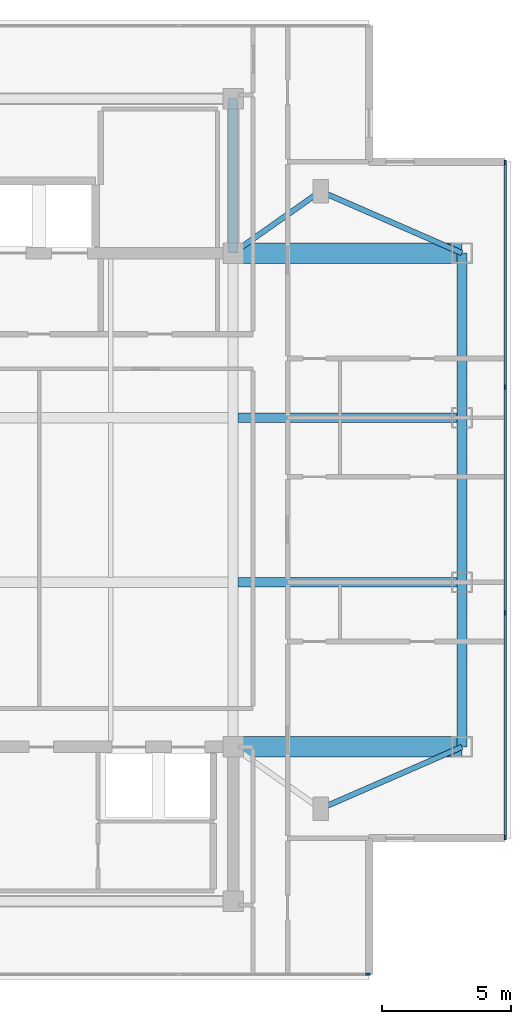
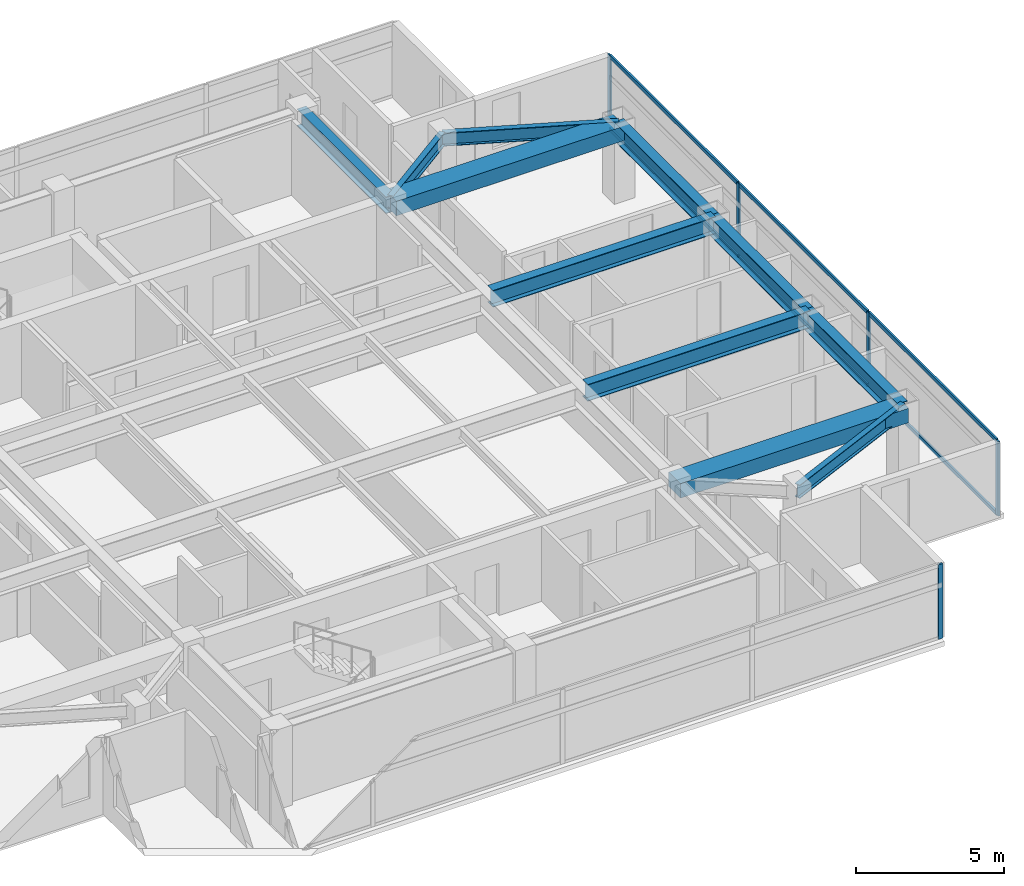
# One storey, part 4 of 12: 11 beams, 11 members, 2 elements without a shape of their own.
"""IFC4 building model written with IfcOpenShell, lengths in metres."""

import ifcopenshell
import ifcopenshell.guid

model = None  # the IFC model being written
_history = None  # IfcOwnerHistory: only IFC2X3 demands one
_inside = {}  # id of a spatial element -> (the spatial element, [elements in it])
_under = {}  # id of a project, library or spatial element -> (it, [spatial elements below it])
_declared = {}  # id of a project -> (the project, [libraries it declares])
_typed = {}  # id of a type object -> (the type object, [elements of that type])
_made_of = {}  # id of a material, layer set ... -> (it, [elements and type objects made of it])


def new_model(schema):
    """Start an empty IFC model of exactly this schema.

    Asked for "IFC4X3", IfcOpenShell would pick the latest addendum, in which some entities
    have other attributes; the version numbers below select the first issue.
    IFC2X3 requires an IfcOwnerHistory on every rooted entity: one is made here for all.
    """
    global model, _history
    if schema == "IFC4X3":
        model = ifcopenshell.file(schema_version=(4, 3, 0, 0))
    else:
        model = ifcopenshell.file(schema=schema)
    _inside.clear()
    _under.clear()
    _declared.clear()
    _typed.clear()
    _made_of.clear()
    _history = None
    if model.schema == "IFC2X3":
        org = make("IfcOrganization", Name="unknown")
        user = make(
            "IfcPersonAndOrganization",
            ThePerson=make("IfcPerson", FamilyName="unknown"),
            TheOrganization=org,
        )
        app = make(
            "IfcApplication",
            ApplicationDeveloper=org,
            Version="unknown",
            ApplicationFullName="unknown",
            ApplicationIdentifier="unknown",
        )
        _history = make(
            "IfcOwnerHistory",
            OwningUser=user,
            OwningApplication=app,
            ChangeAction="ADDED",
            CreationDate=0,
        )
    return model


def make(cls, **values):
    """One entity of the class cls with the attributes given. An attribute that is None is left unset."""
    return model.create_entity(
        cls, **{name: value for name, value in values.items() if value is not None}
    )


def rooted(cls, **values):
    """An entity with a GlobalId (a new one), such as an element, a storey or a relation."""
    return make(cls, GlobalId=ifcopenshell.guid.new(), OwnerHistory=_history, **values)


def si_unit(unit_type, name, prefix=None):
    """IfcSIUnit, for example si_unit("LENGTHUNIT", "METRE", prefix="MILLI")."""
    return make("IfcSIUnit", UnitType=unit_type, Prefix=prefix, Name=name)


def assignment(units):
    """IfcUnitAssignment: the units of a project."""
    return None if units is None else make("IfcUnitAssignment", Units=units)


def point(xyz):
    """IfcCartesianPoint."""
    return None if xyz is None else make("IfcCartesianPoint", Coordinates=xyz)


def direction(xyz):
    """IfcDirection."""
    return None if xyz is None else make("IfcDirection", DirectionRatios=xyz)


def frame(location, z_axis=None, x_axis=None):
    """IfcAxis2Placement3D, a coordinate frame: its origin and axes. An axis left out is left unset."""
    return make(
        "IfcAxis2Placement3D",
        Location=point(location),
        Axis=direction(z_axis),
        RefDirection=direction(x_axis),
    )


def frame_2d(location, x_axis=None):
    """IfcAxis2Placement2D, a coordinate frame in the plane: its origin and x axis."""
    return make(
        "IfcAxis2Placement2D", Location=point(location), RefDirection=direction(x_axis)
    )


def origin():
    """The frame at (0, 0, 0) with its axes left unset."""
    return frame((0.0, 0.0, 0.0))


def origin_2d():
    """The frame at (0, 0) in the plane with its x axis left unset."""
    return frame_2d((0.0, 0.0))


def place(relative_to, where):
    """IfcLocalPlacement: puts the frame where relative to a parent placement (None: the world)."""
    return make(
        "IfcLocalPlacement", PlacementRelTo=relative_to, RelativePlacement=where
    )


def context(
    kind, dimensions, precision=None, world=None, true_north=None, identifier=None
):
    """IfcGeometricRepresentationContext, for example the 3D "Model" context."""
    return make(
        "IfcGeometricRepresentationContext",
        ContextIdentifier=identifier,
        ContextType=kind,
        CoordinateSpaceDimension=dimensions,
        Precision=precision,
        WorldCoordinateSystem=world,
        TrueNorth=true_north,
    )


def subcontext(parent, identifier, kind, view, scale=None):
    """IfcGeometricRepresentationSubContext, for example "Body" below "Model"."""
    return make(
        "IfcGeometricRepresentationSubContext",
        ContextIdentifier=identifier,
        ContextType=kind,
        ParentContext=parent,
        TargetScale=scale,
        TargetView=view,
    )


def project(units=None, contexts=None):
    """IfcProject with its units and contexts."""
    return rooted(
        "IfcProject",
        Name="project",
        RepresentationContexts=contexts,
        UnitsInContext=assignment(units),
    )


def spatial(cls, under=None, at=None, **own):
    """A site, building, storey or space (cls), placed at a placement, below another one or the project."""
    s = rooted(cls, ObjectPlacement=at, **own)
    if under is not None:
        _under.setdefault(under.id(), (under, []))[1].append(s)
    return s


def profile(cls, at=None, kind="AREA", **sizes):
    """A parametric profile (cls). Its sizes go by their IFC names, for example OverallWidth=200.0."""
    return make(cls, ProfileType=kind, Position=at, **sizes)


def rectangle(**sizes):
    """IfcRectangleProfileDef."""
    return profile("IfcRectangleProfileDef", **sizes)


def i_section(**sizes):
    """IfcIShapeProfileDef."""
    return profile("IfcIShapeProfileDef", **sizes)


def extrude(swept, where, along, depth):
    """IfcExtrudedAreaSolid: the profile swept, set in the frame where, extruded along a direction by depth."""
    return make(
        "IfcExtrudedAreaSolid",
        SweptArea=swept,
        Position=where,
        ExtrudedDirection=direction(along),
        Depth=depth,
    )


def shape(context_of_items, identifier, shape_type, items):
    """IfcShapeRepresentation: the items that make up one representation, for example the "Body"."""
    return make(
        "IfcShapeRepresentation",
        ContextOfItems=context_of_items,
        RepresentationIdentifier=identifier,
        RepresentationType=shape_type,
        Items=items,
    )


def material(Name=None, Category=None):
    """IfcMaterial."""
    return make("IfcMaterial", Name=Name, Category=Category)


def material_profile(
    of_material, cross_section, Name=None, Category=None, Priority=None
):
    """IfcMaterialProfile: a cross section and its material."""
    return make(
        "IfcMaterialProfile",
        Name=Name,
        Material=of_material,
        Profile=cross_section,
        Priority=Priority,
        Category=Category,
    )


def profile_set(profiles, Name=None, composite=None):
    """IfcMaterialProfileSet."""
    return make(
        "IfcMaterialProfileSet",
        Name=Name,
        MaterialProfiles=profiles,
        CompositeProfile=composite,
    )


def made_of(thing, what):
    """Note that an element or type object is made of a material, layer set ...; save() writes the relation."""
    if what is not None:
        _made_of.setdefault(what.id(), (what, []))[1].append(thing)
    return thing


def type_object(cls, material=None, **own):
    """A type object (cls), such as IfcWallType, which elements share."""
    return made_of(rooted(cls, **own), material)


def element(
    cls,
    number,
    at=None,
    inside=None,
    cuts=None,
    type_object=None,
    material=None,
    context=None,
    identifier="Body",
    shape_type=None,
    held_by="IfcProductDefinitionShape",
    body=None,
    shapes=None,
    **own,
):
    """One element of the class cls, such as IfcWall. Its Tag is "e" and its number.

    at: its placement. inside: the storey or other place that contains it. cuts: it is an
    opening in that element (IfcRelVoidsElement). A single representation is given by context,
    identifier, shape_type and body (its items); several are given by shapes. held_by: the class
    of the entity that holds the representations. save() writes the other relations.
    """
    e = rooted(cls, Tag="e%d" % number, ObjectPlacement=at, **own)
    if body is not None:
        shapes = [shape(context, identifier, shape_type, body)]
    if shapes is not None:
        e.Representation = make(held_by, Representations=shapes)
    if inside is not None:
        _inside.setdefault(inside.id(), (inside, []))[1].append(e)
    if cuts is not None:
        rooted(
            "IfcRelVoidsElement", RelatingBuildingElement=cuts, RelatedOpeningElement=e
        )
    if type_object is not None:
        _typed.setdefault(type_object.id(), (type_object, []))[1].append(e)
    return made_of(e, material)


def aggregate(whole, parts):
    """IfcRelAggregates: a whole, such as a stair, and the parts it consists of."""
    return rooted("IfcRelAggregates", RelatingObject=whole, RelatedObjects=parts)


def save(model, path):
    """Write the relations noted so far, then the file.

    IfcRelAggregates (storeys below a building ...), IfcRelContainedInSpatialStructure (elements
    in a storey), IfcRelDefinesByType, IfcRelAssociatesMaterial and IfcRelDeclares: one each for
    every whole, place, type object, material and project.
    """
    for whole, parts in _under.values():
        aggregate(whole, parts)
    for where, things in _inside.values():
        rooted(
            "IfcRelContainedInSpatialStructure",
            RelatedElements=things,
            RelatingStructure=where,
        )
    for kind, things in _typed.values():
        rooted("IfcRelDefinesByType", RelatedObjects=things, RelatingType=kind)
    for what, things in _made_of.values():
        rooted("IfcRelAssociatesMaterial", RelatedObjects=things, RelatingMaterial=what)
    for by, libraries in _declared.values():
        rooted("IfcRelDeclares", RelatingContext=by, RelatedDefinitions=libraries)
    model.write(path)


model = new_model("IFC4")

# Units and contexts
model_context = context("Model", 3, precision=1e-05, world=origin(), true_north=direction((0.0, 1.0)))
body_context = subcontext(model_context, "Body", "Model", "MODEL_VIEW")
ifc_project = project(units=[si_unit("LENGTHUNIT", "METRE"), si_unit("AREAUNIT", "SQUARE_METRE"), si_unit("VOLUMEUNIT", "CUBIC_METRE"), si_unit("PLANEANGLEUNIT", "RADIAN"), si_unit("MASSUNIT", "GRAM", prefix="KILO")], contexts=[model_context])

# Site, building, storey
site_placement = place(None, origin())
site = spatial("IfcSite", under=ifc_project, at=site_placement, CompositionType="ELEMENT")
building_placement = place(site_placement, origin())
building = spatial("IfcBuilding", under=site, at=building_placement, Name="Mirazonda Arch Towers", CompositionType="ELEMENT")
storey_placement = place(building_placement, frame((0.0, 0.0, 219.39990234375)))
storey = spatial("IfcBuildingStorey", under=building, at=storey_placement, Name="L62", CompositionType="ELEMENT", Elevation=219.39990234375)

# Beams
ifc_material_1 = material(Name="Steel ASTM A992 Grade 50", Category="steel")
ifc_material_profile_1 = material_profile(ifc_material_1, i_section(OverallWidth=0.381103515625, OverallDepth=0.77294921875, WebThickness=0.0166015625, FlangeThickness=0.027099609375, at=origin_2d()), Name="W30X173")
ifc_profile_set_1 = profile_set([ifc_material_profile_1], Name="Steel ASTM A992 Grade 50")
beam_type_1 = type_object("IfcBeamType", Name="BM-EXT-W30X173", PredefinedType="USERDEFINED", material=ifc_profile_set_1)
beam_1_placement = place(storey_placement, frame((38.89990234375, 18.39990234375, 2.713623046875), z_axis=(0.0, 1.0, 0.0), x_axis=(-1.0, 0.0, 0.0)))
element("IfcBeam", 1, at=beam_1_placement, inside=storey, type_object=beam_type_1, Name="L62 Floor Beam BM-T1-L62-NS-E-18", ObjectType="GIRDER", PredefinedType="USERDEFINED", context=body_context, shape_type="SweptSolid", body=[
    extrude(i_section(OverallWidth=0.381103515625, OverallDepth=0.77294921875, WebThickness=0.0166015625, FlangeThickness=0.027099609375, at=origin_2d()), origin(), (0.0, 0.0, 1.0), 6.400146484375),
])
beam_2_placement = place(storey_placement, frame((38.89990234375, 24.800048828125, 2.713623046875), z_axis=(0.0, 1.0, 0.0), x_axis=(-1.0, 0.0, 0.0)))
element("IfcBeam", 2, at=beam_2_placement, inside=storey, type_object=beam_type_1, Name="L62 Floor Beam BM-T1-L62-NS-E-24", ObjectType="GIRDER", PredefinedType="USERDEFINED", context=body_context, shape_type="SweptSolid", body=[
    extrude(i_section(OverallWidth=0.381103515625, OverallDepth=0.77294921875, WebThickness=0.0166015625, FlangeThickness=0.027099609375, at=origin_2d()), origin(), (0.0, 0.0, 1.0), 6.39990234375),
])
beam_3_placement = place(storey_placement, frame((38.89990234375, 31.199951171875, 2.713623046875), z_axis=(0.0, 1.0, 0.0), x_axis=(-1.0, 0.0, 0.0)))
element("IfcBeam", 3, at=beam_3_placement, inside=storey, type_object=beam_type_1, Name="L62 Floor Beam BM-T1-L62-NS-E-31", ObjectType="GIRDER", PredefinedType="USERDEFINED", context=body_context, shape_type="SweptSolid", body=[
    extrude(i_section(OverallWidth=0.381103515625, OverallDepth=0.77294921875, WebThickness=0.0166015625, FlangeThickness=0.027099609375, at=origin_2d()), origin(), (0.0, 0.0, 1.0), 6.400146484375),
])
ifc_material_profile_2 = material_profile(ifc_material_1, i_section(OverallWidth=0.214111328125, OverallDepth=0.549072265625, WebThickness=0.0146484375, FlangeThickness=0.023681640625, at=origin_2d()), Name="W21X93")
ifc_profile_set_2 = profile_set([ifc_material_profile_2], Name="Steel ASTM A992 Grade 50")
beam_type_2 = type_object("IfcBeamType", Name="BM-INT-W21X93", PredefinedType="BEAM", material=ifc_profile_set_2)
beam_4_placement = place(storey_placement, frame((33.39990234375, 16.0, 2.82568359375), z_axis=(0.916545343703, 0.399930785183, 0.0), x_axis=(-0.399930785183, 0.916545343703, 0.0)))
element("IfcBeam", 4, at=beam_4_placement, inside=storey, type_object=beam_type_2, Name="L62 Floor Beam BM-T1-L62-PL-SE2", PredefinedType="BEAM", context=body_context, shape_type="SweptSolid", body=[
    extrude(i_section(OverallWidth=0.214111328125, OverallDepth=0.549072265625, WebThickness=0.0146484375, FlangeThickness=0.023681640625, at=origin_2d()), origin(), (0.0, 0.0, 1.0), 6.000732421875),
])
beam_5_placement = place(storey_placement, frame((33.39990234375, 40.0, 2.82568359375), z_axis=(-0.816971114901, -0.576678591087, 0.0), x_axis=(0.576678591087, -0.816971114901, 0.0)))
element("IfcBeam", 5, at=beam_5_placement, inside=storey, type_object=beam_type_2, Name="L62 Floor Beam BM-T1-L62-PL-NE1", PredefinedType="BEAM", context=body_context, shape_type="SweptSolid", body=[
    extrude(i_section(OverallWidth=0.214111328125, OverallDepth=0.549072265625, WebThickness=0.0146484375, FlangeThickness=0.023681640625, at=origin_2d()), origin(), (0.0, 0.0, 1.0), 4.16162109375),
])
beam_6_placement = place(storey_placement, frame((33.39990234375, 40.0, 2.82568359375), z_axis=(0.916545343703, -0.399930785183, 0.0), x_axis=(0.399930785183, 0.916545343703, 0.0)))
element("IfcBeam", 6, at=beam_6_placement, inside=storey, type_object=beam_type_2, Name="L62 Floor Beam BM-T1-L62-PL-NE2", PredefinedType="BEAM", context=body_context, shape_type="SweptSolid", body=[
    extrude(i_section(OverallWidth=0.214111328125, OverallDepth=0.549072265625, WebThickness=0.0146484375, FlangeThickness=0.023681640625, at=origin_2d()), origin(), (0.0, 0.0, 1.0), 6.000732421875),
])
ifc_material_profile_3 = material_profile(ifc_material_1, i_section(OverallWidth=0.35498046875, OverallDepth=0.696044921875, WebThickness=0.015380859375, FlangeThickness=0.02490234375, at=origin_2d()), Name="W27X146")
ifc_profile_set_3 = profile_set([ifc_material_profile_3], Name="Steel ASTM A992 Grade 50")
beam_type_3 = type_object("IfcBeamType", Name="BM-INT-W27X146", PredefinedType="BEAM", material=ifc_profile_set_3)
for number, where, z_axis, x_axis, name in (
    (7, (30.199951171875, 24.800048828125, 2.752197265625), (1.0, 0.0, 0.0), (0.0, 1.0, 0.0), "L62 Floor Beam BM-T1-L62-GE2"),
    (8, (30.199951171875, 31.199951171875, 2.752197265625), (1.0, 0.0, 0.0), (0.0, 1.0, 0.0), "L62 Floor Beam BM-T1-L62-GE3"),
):
    element("IfcBeam", number, at=place(storey_placement, frame(where, z_axis=z_axis, x_axis=x_axis)), inside=storey, type_object=beam_type_3, Name=name, PredefinedType="BEAM", context=body_context, shape_type="SweptSolid", body=[
        extrude(i_section(OverallWidth=0.35498046875, OverallDepth=0.696044921875, WebThickness=0.015380859375, FlangeThickness=0.02490234375, at=origin_2d()), origin(), (0.0, 0.0, 1.0), 8.699951171875),
    ])
beam_7_placement = place(storey_placement, frame((30.0, 37.60009765625, 2.752197265625), z_axis=(0.0, 1.0, 0.0), x_axis=(-1.0, 0.0, 0.0)))
element("IfcBeam", 9, at=beam_7_placement, inside=storey, type_object=beam_type_3, Name="L62 Floor Beam BM-T1-L62-CNE", PredefinedType="BEAM", context=body_context, shape_type="SweptSolid", body=[
    extrude(i_section(OverallWidth=0.35498046875, OverallDepth=0.696044921875, WebThickness=0.015380859375, FlangeThickness=0.02490234375, at=origin_2d()), origin(), (0.0, 0.0, 1.0), 6.0),
])
ifc_material_2 = material(Name="Concrete C60/75", Category="concrete")
ifc_material_profile_4 = material_profile(ifc_material_2, rectangle(XDim=0.800048828125, YDim=0.60009765625, at=origin_2d()), Name="RCCB800x600")
ifc_profile_set_4 = profile_set([ifc_material_profile_4], Name="Concrete C60/75")
beam_type_4 = type_object("IfcBeamType", Name="CB-INT-RCCB800x600", PredefinedType="SPANDREL", material=ifc_profile_set_4)
for number, where, z_axis, x_axis, name in (
    (10, (30.0, 37.60009765625, 2.800048828125), (1.0, 0.0, 0.0), (0.0, 1.0, 0.0), "L62 Floor Beam CBC-T1-L62-NE"),
    (11, (30.0, 18.39990234375, 2.800048828125), (1.0, 0.0, 0.0), (0.0, 1.0, 0.0), "L62 Floor Beam CBC-T1-L62-SE"),
):
    element("IfcBeam", number, at=place(storey_placement, frame(where, z_axis=z_axis, x_axis=x_axis)), inside=storey, type_object=beam_type_4, Name=name, PredefinedType="SPANDREL", context=body_context, shape_type="SweptSolid", body=[
        extrude(rectangle(XDim=0.800048828125, YDim=0.60009765625, at=origin_2d()), origin(), (0.0, 0.0, 1.0), 8.89990234375),
    ])

# Curtain wall, member
ifc_material_3 = material(Name="Anodised Aluminium and Low-E Glass", Category="aluminium")
curtain_wall_type = type_object("IfcCurtainWallType", Name="CW-RES-UNIT", PredefinedType="NOTDEFINED", material=ifc_material_3)
curtain_wall_1_placement = place(storey_placement, origin())
curtain_wall_1 = element("IfcCurtainWall", 12, at=curtain_wall_1_placement, inside=storey, type_object=curtain_wall_type, Name="L62 T1 S Facade CW-L62-T1-S", PredefinedType="NOTDEFINED")
ifc_material_4 = material(Name="Anodised Aluminium Alloy", Category="aluminium")
ifc_material_profile_5 = material_profile(ifc_material_4, rectangle(XDim=0.074951171875, YDim=0.175048828125, at=origin_2d()), Name="ALU-MULL-75x175")
ifc_profile_set_5 = profile_set([ifc_material_profile_5], Name="Anodised Aluminium Alloy")
member_type_1 = type_object("IfcMemberType", Name="MULL-CW-RES-UNIT", PredefinedType="MULLION", material=ifc_profile_set_5)
member_1_placement = place(storey_placement, frame((35.25244140625, 9.56005859375, 0.0), z_axis=(0.0, 0.0, 1.0), x_axis=(0.0, -1.0, 0.0)))
member_1 = element("IfcMember", 13, at=member_1_placement, type_object=member_type_1, Name="CW-104 mullion 1", PredefinedType="MULLION", context=body_context, shape_type="SweptSolid", body=[
    extrude(rectangle(XDim=0.074951171875, YDim=0.175048828125, at=origin_2d()), origin(), (0.0, 0.0, 1.0), 3.080078125),
])
aggregate(curtain_wall_1, [member_1])

# Curtain wall, members
curtain_wall_2_placement = place(storey_placement, origin())
curtain_wall_2 = element("IfcCurtainWall", 14, at=curtain_wall_2_placement, inside=storey, type_object=curtain_wall_type, Name="L62 T1 E Facade CW-L62-T1-E", PredefinedType="NOTDEFINED")
member_2_placement = place(storey_placement, frame((40.580078125, 14.887451171875, 0.0), z_axis=(0.0, 0.0, 1.0), x_axis=(-1.0, 0.0, 0.0)))
member_2 = element("IfcMember", 15, at=member_2_placement, type_object=member_type_1, Name="CW-104 mullion 1", PredefinedType="MULLION", context=body_context, shape_type="SweptSolid", body=[
    extrude(rectangle(XDim=0.074951171875, YDim=0.175048828125, at=origin_2d()), origin(), (0.0, 0.0, 1.0), 3.080078125),
])
member_3_placement = place(storey_placement, frame((40.580078125, 23.61669921875, 0.0), z_axis=(0.0, 0.0, 1.0), x_axis=(-1.0, 0.0, 0.0)))
member_3 = element("IfcMember", 16, at=member_3_placement, type_object=member_type_1, Name="CW-104 mullion 2", PredefinedType="MULLION", context=body_context, shape_type="SweptSolid", body=[
    extrude(rectangle(XDim=0.074951171875, YDim=0.175048828125, at=origin_2d()), origin(), (0.0, 0.0, 1.0), 3.080078125),
])
member_4_placement = place(storey_placement, frame((40.580078125, 32.38330078125, 0.0), z_axis=(0.0, 0.0, 1.0), x_axis=(-1.0, 0.0, 0.0)))
member_4 = element("IfcMember", 17, at=member_4_placement, type_object=member_type_1, Name="CW-104 mullion 3", PredefinedType="MULLION", context=body_context, shape_type="SweptSolid", body=[
    extrude(rectangle(XDim=0.074951171875, YDim=0.175048828125, at=origin_2d()), origin(), (0.0, 0.0, 1.0), 3.080078125),
])
member_5_placement = place(storey_placement, frame((40.580078125, 41.112548828125, 0.0), z_axis=(0.0, 0.0, 1.0), x_axis=(-1.0, 0.0, 0.0)))
member_5 = element("IfcMember", 18, at=member_5_placement, type_object=member_type_1, Name="CW-104 mullion 4", PredefinedType="MULLION", context=body_context, shape_type="SweptSolid", body=[
    extrude(rectangle(XDim=0.074951171875, YDim=0.175048828125, at=origin_2d()), origin(), (0.0, 0.0, 1.0), 3.080078125),
])
ifc_material_profile_6 = material_profile(ifc_material_4, rectangle(XDim=0.074951171875, YDim=0.155029296875, at=origin_2d()), Name="ALU-TRAN-75x155")
ifc_profile_set_6 = profile_set([ifc_material_profile_6], Name="Anodised Aluminium Alloy")
member_type_2 = type_object("IfcMemberType", Name="TRAN-CW-RES-UNIT", PredefinedType="USERDEFINED", material=ifc_profile_set_6)
member_6_placement = place(storey_placement, frame((40.580078125, 14.925048828125, 0.03759765625), z_axis=(0.0, 1.0, 0.0), x_axis=(-1.0, 0.0, 0.0)))
member_6 = element("IfcMember", 19, at=member_6_placement, type_object=member_type_2, Name="CW-104 transom 1.1", ObjectType="TRANSOM", PredefinedType="USERDEFINED", context=body_context, shape_type="SweptSolid", body=[
    extrude(rectangle(XDim=0.074951171875, YDim=0.155029296875, at=origin_2d()), origin(), (0.0, 0.0, 1.0), 8.654052734375),
])
member_7_placement = place(storey_placement, frame((40.580078125, 14.925048828125, 3.04248046875), z_axis=(0.0, 1.0, 0.0), x_axis=(-1.0, 0.0, 0.0)))
member_7 = element("IfcMember", 20, at=member_7_placement, type_object=member_type_2, Name="CW-104 transom 1.2", ObjectType="TRANSOM", PredefinedType="USERDEFINED", context=body_context, shape_type="SweptSolid", body=[
    extrude(rectangle(XDim=0.074951171875, YDim=0.155029296875, at=origin_2d()), origin(), (0.0, 0.0, 1.0), 8.654052734375),
])
member_8_placement = place(storey_placement, frame((40.580078125, 23.654052734375, 0.03759765625), z_axis=(0.0, 1.0, 0.0), x_axis=(-1.0, 0.0, 0.0)))
member_8 = element("IfcMember", 21, at=member_8_placement, type_object=member_type_2, Name="CW-104 transom 2.1", ObjectType="TRANSOM", PredefinedType="USERDEFINED", context=body_context, shape_type="SweptSolid", body=[
    extrude(rectangle(XDim=0.074951171875, YDim=0.155029296875, at=origin_2d()), origin(), (0.0, 0.0, 1.0), 8.69189453125),
])
member_9_placement = place(storey_placement, frame((40.580078125, 23.654052734375, 3.04248046875), z_axis=(0.0, 1.0, 0.0), x_axis=(-1.0, 0.0, 0.0)))
member_9 = element("IfcMember", 22, at=member_9_placement, type_object=member_type_2, Name="CW-104 transom 2.2", ObjectType="TRANSOM", PredefinedType="USERDEFINED", context=body_context, shape_type="SweptSolid", body=[
    extrude(rectangle(XDim=0.074951171875, YDim=0.155029296875, at=origin_2d()), origin(), (0.0, 0.0, 1.0), 8.69189453125),
])
member_10_placement = place(storey_placement, frame((40.580078125, 32.4208984375, 0.03759765625), z_axis=(0.0, 1.0, 0.0), x_axis=(-1.0, 0.0, 0.0)))
member_10 = element("IfcMember", 23, at=member_10_placement, type_object=member_type_2, Name="CW-104 transom 3.1", ObjectType="TRANSOM", PredefinedType="USERDEFINED", context=body_context, shape_type="SweptSolid", body=[
    extrude(rectangle(XDim=0.074951171875, YDim=0.155029296875, at=origin_2d()), origin(), (0.0, 0.0, 1.0), 8.654052734375),
])
member_11_placement = place(storey_placement, frame((40.580078125, 32.4208984375, 3.04248046875), z_axis=(0.0, 1.0, 0.0), x_axis=(-1.0, 0.0, 0.0)))
member_11 = element("IfcMember", 24, at=member_11_placement, type_object=member_type_2, Name="CW-104 transom 3.2", ObjectType="TRANSOM", PredefinedType="USERDEFINED", context=body_context, shape_type="SweptSolid", body=[
    extrude(rectangle(XDim=0.074951171875, YDim=0.155029296875, at=origin_2d()), origin(), (0.0, 0.0, 1.0), 8.654052734375),
])
aggregate(curtain_wall_2, [member_2, member_3, member_4, member_5, member_6, member_7, member_8, member_9, member_10, member_11])

save(model, "model.ifc")
